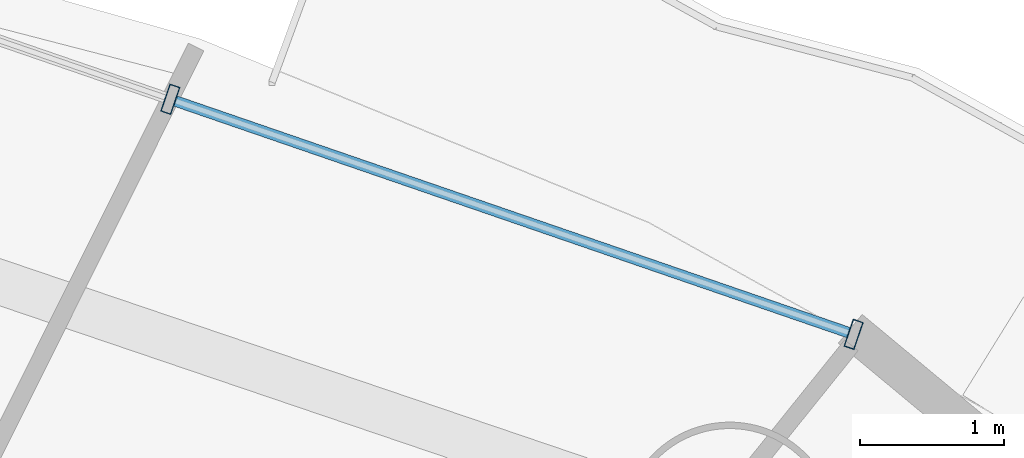
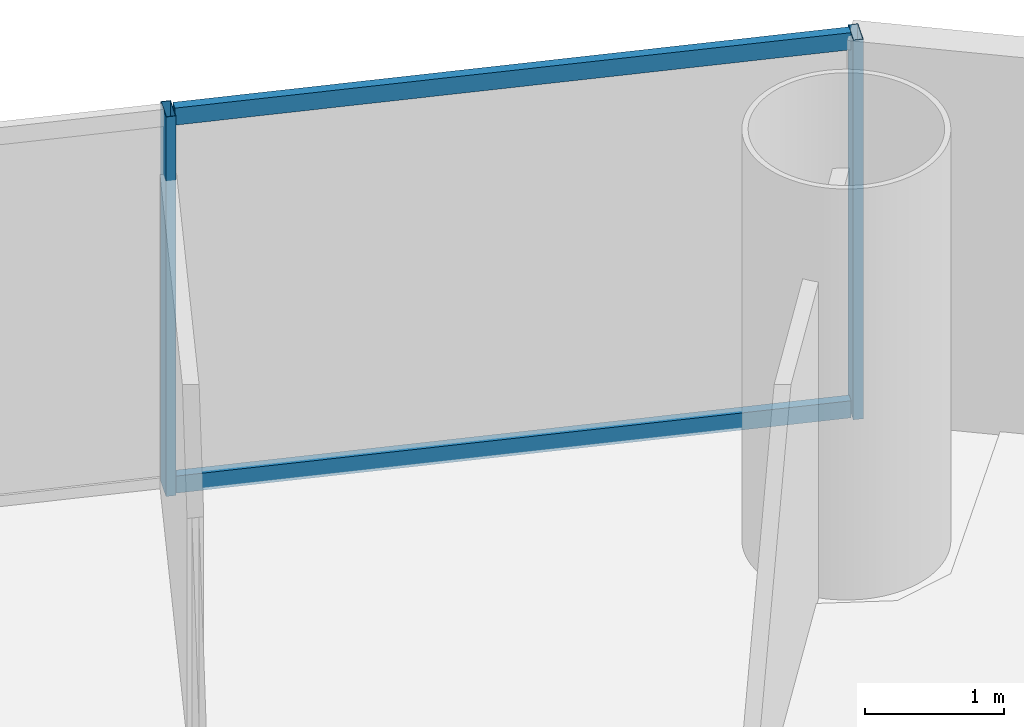
# One storey, part 20 of 29: 4 members, 1 element without a shape of its own.
"""IFC4 building model written with IfcOpenShell, lengths in metres."""

from ifc_helpers import new_model, si_unit, direction, frame, origin, origin_2d, place, context, subcontext, project, spatial, hollow_rectangle, extrude, source, transform, mapped, material, material_profile, profile_set, type_object, element, aggregate, save


model = new_model("IFC4")

# Units and contexts
model_context = context("Model", 3, precision=1e-05, world=origin(), true_north=direction((-0.2419218956, 0.970295726276)))
body_context = subcontext(model_context, "Body", "Model", "MODEL_VIEW")
ifc_project = project(units=[si_unit("LENGTHUNIT", "METRE"), si_unit("AREAUNIT", "SQUARE_METRE"), si_unit("VOLUMEUNIT", "CUBIC_METRE"), si_unit("PLANEANGLEUNIT", "RADIAN"), si_unit("MASSUNIT", "GRAM", prefix="KILO")], contexts=[model_context])

# Site, building, storey
site_placement = place(None, origin())
site = spatial("IfcSite", under=ifc_project, at=site_placement, CompositionType="ELEMENT")
building_placement = place(site_placement, origin())
building = spatial("IfcBuilding", under=site, at=building_placement, Name="Cobrevalo Terracotta Tower", CompositionType="ELEMENT")
storey_placement = place(building_placement, frame((0.0, 0.0, 79.800048828125)))
storey = spatial("IfcBuildingStorey", under=building, at=storey_placement, Name="L20", CompositionType="ELEMENT", Elevation=79.800048828125)

# Curtain wall, members
ifc_material = material(Name="Anodized aluminium", Category="aluminium")
curtain_wall_type = type_object("IfcCurtainWallType", Name="Lower-tower unitised acoustic low-E curtain wall CW-U1", PredefinedType="NOTDEFINED", material=ifc_material)
curtain_wall_placement = place(storey_placement, origin())
curtain_wall = element("IfcCurtainWall", 1, at=curtain_wall_placement, inside=storey, type_object=curtain_wall_type, Name="L20 curtain wall CW-L20-S03", PredefinedType="NOTDEFINED")
ifc_material_profile_1 = material_profile(ifc_material, hollow_rectangle(XDim=0.074951171875, YDim=0.199951171875, WallThickness=0.0048828125, at=origin_2d()), Name="CWM 75x200")
ifc_profile_set_1 = profile_set([ifc_material_profile_1], Name="Anodized aluminium")
member_type_1 = type_object("IfcMemberType", Name="Lower/mid tower unitised mullion 75x200", PredefinedType="MULLION", material=ifc_profile_set_1)
shared_shape_1 = source(origin(), body_context, "Body", "SweptSolid", [
    extrude(hollow_rectangle(XDim=0.074951171875, YDim=0.199951171875, WallThickness=0.0048828125, at=origin_2d()), origin(), (0.0, 0.0, 1.0), 3.324951171875),
])
member_1_placement = place(storey_placement, frame((52.7236328125, 45.16357421875, 0.0), z_axis=(0.0, 0.0, 1.0), x_axis=(-0.94559809868, 0.325337110968, 0.0)))
member_1 = element("IfcMember", 2, at=member_1_placement, type_object=member_type_1, Name="CW-L20-S03 vertical mullion 01", PredefinedType="MULLION", context=body_context, shape_type="MappedRepresentation", body=[
    mapped(shared_shape_1, transform((0.0, 0.0, 0.0), scale=1.0)),
])
member_2_placement = place(storey_placement, frame((47.972412109375, 46.79833984375, 0.0), z_axis=(0.0, 0.0, 1.0), x_axis=(-0.94559809868, 0.325337110968, 0.0)))
member_2 = element("IfcMember", 3, at=member_2_placement, type_object=member_type_1, Name="CW-L20-S03 vertical mullion 02", PredefinedType="MULLION", context=body_context, shape_type="MappedRepresentation", body=[
    mapped(shared_shape_1, transform((0.0, 0.0, 0.0), scale=1.0)),
])
ifc_material_profile_2 = material_profile(ifc_material, hollow_rectangle(XDim=0.074951171875, YDim=0.14990234375, WallThickness=0.00439453125, at=origin_2d()), Name="CWT 75x150")
ifc_profile_set_2 = profile_set([ifc_material_profile_2], Name="Anodized aluminium")
member_type_2 = type_object("IfcMemberType", Name="Tower unitised aluminium transom 75x150", PredefinedType="USERDEFINED", material=ifc_profile_set_2)
shared_shape_2 = source(origin(), body_context, "Body", "SweptSolid", [
    extrude(hollow_rectangle(XDim=0.074951171875, YDim=0.14990234375, WallThickness=0.00439453125, at=origin_2d()), origin(), (0.0, 0.0, 1.0), 4.944580078125),
])
member_3_placement = place(storey_placement, frame((52.685791015625, 45.176513671875, 0.050048828125), z_axis=(-0.945597859971, 0.32533780478, 0.0), x_axis=(-0.32533780478, -0.945597859971, 0.0)))
member_3 = element("IfcMember", 4, at=member_3_placement, type_object=member_type_2, Name="CW-L20-S03 transom B01-T1", ObjectType="TRANSOM", PredefinedType="USERDEFINED", context=body_context, shape_type="MappedRepresentation", body=[
    mapped(shared_shape_2, transform((0.0, 0.0, 0.0), scale=1.0)),
])
member_4_placement = place(storey_placement, frame((52.685791015625, 45.176513671875, 3.27490234375), z_axis=(-0.945597859971, 0.32533780478, 0.0), x_axis=(-0.32533780478, -0.945597859971, 0.0)))
member_4 = element("IfcMember", 5, at=member_4_placement, type_object=member_type_2, Name="CW-L20-S03 transom B01-T2", ObjectType="TRANSOM", PredefinedType="USERDEFINED", context=body_context, shape_type="MappedRepresentation", body=[
    mapped(shared_shape_2, transform((0.0, 0.0, 0.0), scale=1.0)),
])
aggregate(curtain_wall, [member_1, member_2, member_3, member_4])

save(model, "model.ifc")
